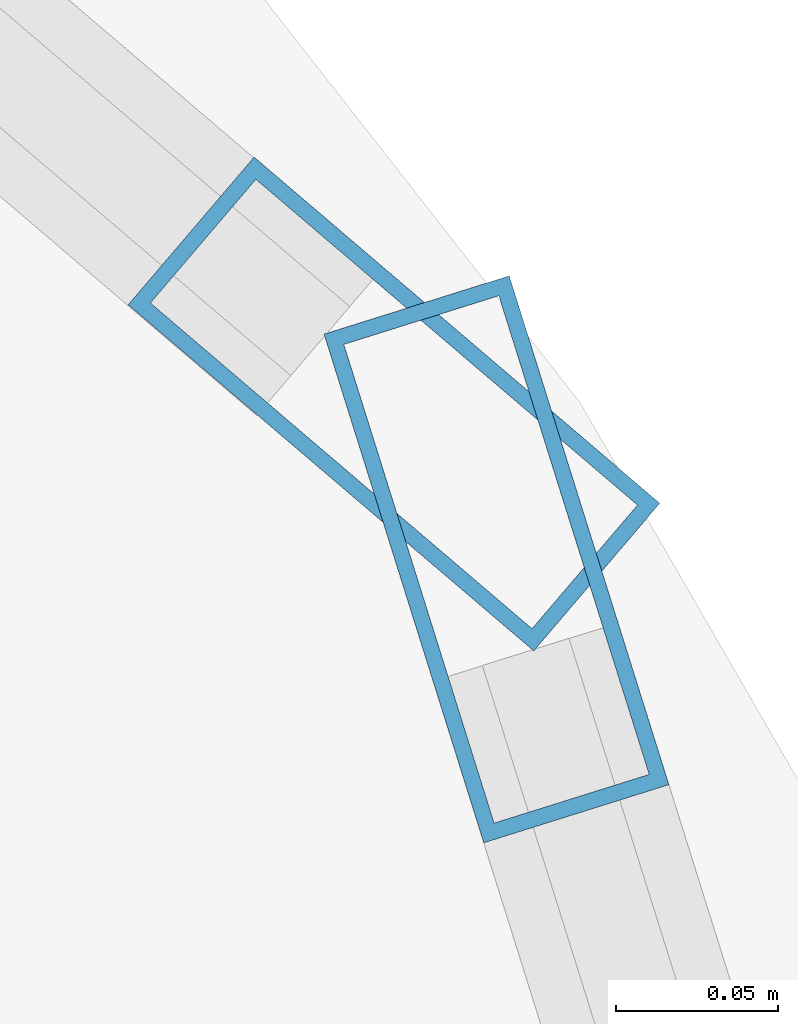
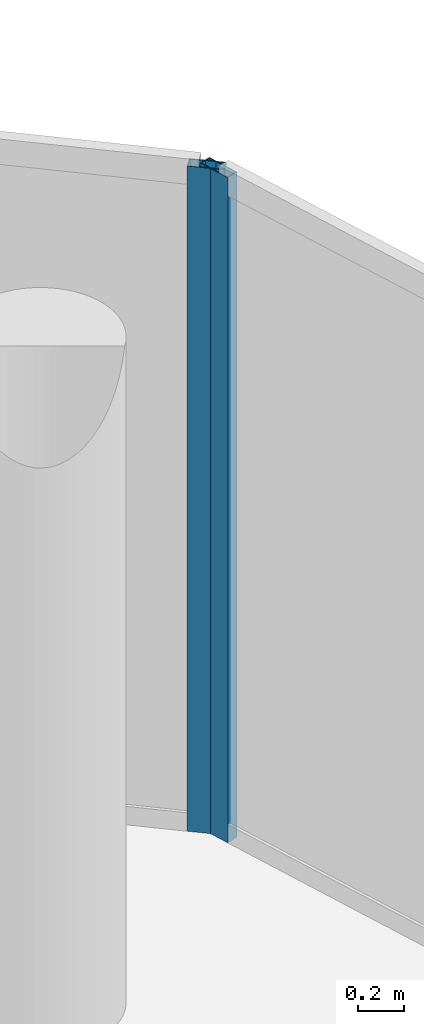
# One storey, part 14 of 24: 2 members, 2 elements without a shape of their own.
"""IFC4 building model written with IfcOpenShell, lengths in metres."""

import ifcopenshell
import ifcopenshell.guid

model = None  # the IFC model being written
_history = None  # IfcOwnerHistory: only IFC2X3 demands one
_inside = {}  # id of a spatial element -> (the spatial element, [elements in it])
_under = {}  # id of a project, library or spatial element -> (it, [spatial elements below it])
_declared = {}  # id of a project -> (the project, [libraries it declares])
_typed = {}  # id of a type object -> (the type object, [elements of that type])
_made_of = {}  # id of a material, layer set ... -> (it, [elements and type objects made of it])


def new_model(schema):
    """Start an empty IFC model of exactly this schema.

    Asked for "IFC4X3", IfcOpenShell would pick the latest addendum, in which some entities
    have other attributes; the version numbers below select the first issue.
    IFC2X3 requires an IfcOwnerHistory on every rooted entity: one is made here for all.
    """
    global model, _history
    if schema == "IFC4X3":
        model = ifcopenshell.file(schema_version=(4, 3, 0, 0))
    else:
        model = ifcopenshell.file(schema=schema)
    _inside.clear()
    _under.clear()
    _declared.clear()
    _typed.clear()
    _made_of.clear()
    _history = None
    if model.schema == "IFC2X3":
        org = make("IfcOrganization", Name="unknown")
        user = make(
            "IfcPersonAndOrganization",
            ThePerson=make("IfcPerson", FamilyName="unknown"),
            TheOrganization=org,
        )
        app = make(
            "IfcApplication",
            ApplicationDeveloper=org,
            Version="unknown",
            ApplicationFullName="unknown",
            ApplicationIdentifier="unknown",
        )
        _history = make(
            "IfcOwnerHistory",
            OwningUser=user,
            OwningApplication=app,
            ChangeAction="ADDED",
            CreationDate=0,
        )
    return model


def make(cls, **values):
    """One entity of the class cls with the attributes given. An attribute that is None is left unset."""
    return model.create_entity(
        cls, **{name: value for name, value in values.items() if value is not None}
    )


def rooted(cls, **values):
    """An entity with a GlobalId (a new one), such as an element, a storey or a relation."""
    return make(cls, GlobalId=ifcopenshell.guid.new(), OwnerHistory=_history, **values)


def si_unit(unit_type, name, prefix=None):
    """IfcSIUnit, for example si_unit("LENGTHUNIT", "METRE", prefix="MILLI")."""
    return make("IfcSIUnit", UnitType=unit_type, Prefix=prefix, Name=name)


def assignment(units):
    """IfcUnitAssignment: the units of a project."""
    return None if units is None else make("IfcUnitAssignment", Units=units)


def point(xyz):
    """IfcCartesianPoint."""
    return None if xyz is None else make("IfcCartesianPoint", Coordinates=xyz)


def direction(xyz):
    """IfcDirection."""
    return None if xyz is None else make("IfcDirection", DirectionRatios=xyz)


def frame(location, z_axis=None, x_axis=None):
    """IfcAxis2Placement3D, a coordinate frame: its origin and axes. An axis left out is left unset."""
    return make(
        "IfcAxis2Placement3D",
        Location=point(location),
        Axis=direction(z_axis),
        RefDirection=direction(x_axis),
    )


def frame_2d(location, x_axis=None):
    """IfcAxis2Placement2D, a coordinate frame in the plane: its origin and x axis."""
    return make(
        "IfcAxis2Placement2D", Location=point(location), RefDirection=direction(x_axis)
    )


def origin():
    """The frame at (0, 0, 0) with its axes left unset."""
    return frame((0.0, 0.0, 0.0))


def origin_2d():
    """The frame at (0, 0) in the plane with its x axis left unset."""
    return frame_2d((0.0, 0.0))


def place(relative_to, where):
    """IfcLocalPlacement: puts the frame where relative to a parent placement (None: the world)."""
    return make(
        "IfcLocalPlacement", PlacementRelTo=relative_to, RelativePlacement=where
    )


def context(
    kind, dimensions, precision=None, world=None, true_north=None, identifier=None
):
    """IfcGeometricRepresentationContext, for example the 3D "Model" context."""
    return make(
        "IfcGeometricRepresentationContext",
        ContextIdentifier=identifier,
        ContextType=kind,
        CoordinateSpaceDimension=dimensions,
        Precision=precision,
        WorldCoordinateSystem=world,
        TrueNorth=true_north,
    )


def subcontext(parent, identifier, kind, view, scale=None):
    """IfcGeometricRepresentationSubContext, for example "Body" below "Model"."""
    return make(
        "IfcGeometricRepresentationSubContext",
        ContextIdentifier=identifier,
        ContextType=kind,
        ParentContext=parent,
        TargetScale=scale,
        TargetView=view,
    )


def project(units=None, contexts=None):
    """IfcProject with its units and contexts."""
    return rooted(
        "IfcProject",
        Name="project",
        RepresentationContexts=contexts,
        UnitsInContext=assignment(units),
    )


def spatial(cls, under=None, at=None, **own):
    """A site, building, storey or space (cls), placed at a placement, below another one or the project."""
    s = rooted(cls, ObjectPlacement=at, **own)
    if under is not None:
        _under.setdefault(under.id(), (under, []))[1].append(s)
    return s


def profile(cls, at=None, kind="AREA", **sizes):
    """A parametric profile (cls). Its sizes go by their IFC names, for example OverallWidth=200.0."""
    return make(cls, ProfileType=kind, Position=at, **sizes)


def hollow_rectangle(**sizes):
    """IfcRectangleHollowProfileDef."""
    return profile("IfcRectangleHollowProfileDef", **sizes)


def extrude(swept, where, along, depth):
    """IfcExtrudedAreaSolid: the profile swept, set in the frame where, extruded along a direction by depth."""
    return make(
        "IfcExtrudedAreaSolid",
        SweptArea=swept,
        Position=where,
        ExtrudedDirection=direction(along),
        Depth=depth,
    )


def shape(context_of_items, identifier, shape_type, items):
    """IfcShapeRepresentation: the items that make up one representation, for example the "Body"."""
    return make(
        "IfcShapeRepresentation",
        ContextOfItems=context_of_items,
        RepresentationIdentifier=identifier,
        RepresentationType=shape_type,
        Items=items,
    )


def material(Name=None, Category=None):
    """IfcMaterial."""
    return make("IfcMaterial", Name=Name, Category=Category)


def layer(
    of_material, thickness, ventilated=None, Name=None, Category=None, Priority=None
):
    """IfcMaterialLayer: one layer of a wall or slab, of a material (None: an air gap)."""
    return make(
        "IfcMaterialLayer",
        Material=of_material,
        LayerThickness=thickness,
        IsVentilated=ventilated,
        Name=Name,
        Category=Category,
        Priority=Priority,
    )


def layer_set(layers, Name=None):
    """IfcMaterialLayerSet."""
    return make("IfcMaterialLayerSet", MaterialLayers=layers, LayerSetName=Name)


def material_profile(
    of_material, cross_section, Name=None, Category=None, Priority=None
):
    """IfcMaterialProfile: a cross section and its material."""
    return make(
        "IfcMaterialProfile",
        Name=Name,
        Material=of_material,
        Profile=cross_section,
        Priority=Priority,
        Category=Category,
    )


def profile_set(profiles, Name=None, composite=None):
    """IfcMaterialProfileSet."""
    return make(
        "IfcMaterialProfileSet",
        Name=Name,
        MaterialProfiles=profiles,
        CompositeProfile=composite,
    )


def made_of(thing, what):
    """Note that an element or type object is made of a material, layer set ...; save() writes the relation."""
    if what is not None:
        _made_of.setdefault(what.id(), (what, []))[1].append(thing)
    return thing


def type_object(cls, material=None, **own):
    """A type object (cls), such as IfcWallType, which elements share."""
    return made_of(rooted(cls, **own), material)


def element(
    cls,
    number,
    at=None,
    inside=None,
    cuts=None,
    type_object=None,
    material=None,
    context=None,
    identifier="Body",
    shape_type=None,
    held_by="IfcProductDefinitionShape",
    body=None,
    shapes=None,
    **own,
):
    """One element of the class cls, such as IfcWall. Its Tag is "e" and its number.

    at: its placement. inside: the storey or other place that contains it. cuts: it is an
    opening in that element (IfcRelVoidsElement). A single representation is given by context,
    identifier, shape_type and body (its items); several are given by shapes. held_by: the class
    of the entity that holds the representations. save() writes the other relations.
    """
    e = rooted(cls, Tag="e%d" % number, ObjectPlacement=at, **own)
    if body is not None:
        shapes = [shape(context, identifier, shape_type, body)]
    if shapes is not None:
        e.Representation = make(held_by, Representations=shapes)
    if inside is not None:
        _inside.setdefault(inside.id(), (inside, []))[1].append(e)
    if cuts is not None:
        rooted(
            "IfcRelVoidsElement", RelatingBuildingElement=cuts, RelatedOpeningElement=e
        )
    if type_object is not None:
        _typed.setdefault(type_object.id(), (type_object, []))[1].append(e)
    return made_of(e, material)


def aggregate(whole, parts):
    """IfcRelAggregates: a whole, such as a stair, and the parts it consists of."""
    return rooted("IfcRelAggregates", RelatingObject=whole, RelatedObjects=parts)


def save(model, path):
    """Write the relations noted so far, then the file.

    IfcRelAggregates (storeys below a building ...), IfcRelContainedInSpatialStructure (elements
    in a storey), IfcRelDefinesByType, IfcRelAssociatesMaterial and IfcRelDeclares: one each for
    every whole, place, type object, material and project.
    """
    for whole, parts in _under.values():
        aggregate(whole, parts)
    for where, things in _inside.values():
        rooted(
            "IfcRelContainedInSpatialStructure",
            RelatedElements=things,
            RelatingStructure=where,
        )
    for kind, things in _typed.values():
        rooted("IfcRelDefinesByType", RelatedObjects=things, RelatingType=kind)
    for what, things in _made_of.values():
        rooted("IfcRelAssociatesMaterial", RelatedObjects=things, RelatingMaterial=what)
    for by, libraries in _declared.values():
        rooted("IfcRelDeclares", RelatingContext=by, RelatedDefinitions=libraries)
    model.write(path)


model = new_model("IFC4")

# Units and contexts
model_context = context("Model", 3, precision=1e-05, world=origin(), true_north=direction((0.0, 1.0)))
body_context = subcontext(model_context, "Body", "Model", "MODEL_VIEW")
ifc_project = project(units=[si_unit("LENGTHUNIT", "METRE"), si_unit("AREAUNIT", "SQUARE_METRE"), si_unit("VOLUMEUNIT", "CUBIC_METRE"), si_unit("PLANEANGLEUNIT", "RADIAN"), si_unit("MASSUNIT", "GRAM", prefix="KILO")], contexts=[model_context])

# Site, building, storey
site_placement = place(None, origin())
site = spatial("IfcSite", under=ifc_project, at=site_placement, CompositionType="ELEMENT")
building_placement = place(site_placement, origin())
building = spatial("IfcBuilding", under=site, at=building_placement, Name="Nuhasar Tower", CompositionType="ELEMENT")
storey_placement = place(building_placement, frame((0.0, 0.0, 278.39990234375)))
storey = spatial("IfcBuildingStorey", under=building, at=storey_placement, Name="L69", CompositionType="ELEMENT", Elevation=278.39990234375)

# Curtain wall, member
ifc_material = material(Name="Aluminium 6063-T6", Category="aluminium")
ifc_layer = layer(ifc_material, 0.18994140625)
ifc_layer_set = layer_set([ifc_layer], Name="Aluminium 6063-T6")
curtain_wall_type = type_object("IfcCurtainWallType", Name="CW-Z4-PEN", PredefinedType="NOTDEFINED", material=ifc_layer_set)
curtain_wall_1_placement = place(storey_placement, origin())
curtain_wall_1 = element("IfcCurtainWall", 1, at=curtain_wall_1_placement, inside=storey, type_object=curtain_wall_type, Name="L69 Unitised Curtain Wall 01", PredefinedType="NOTDEFINED")
ifc_material_profile = material_profile(ifc_material, hollow_rectangle(XDim=0.06005859375, YDim=0.1650390625, WallThickness=0.0048828125, at=origin_2d()), Name="CWM-5")
ifc_profile_set = profile_set([ifc_material_profile], Name="Aluminium 6063-T6")
member_type = type_object("IfcMemberType", Name="CW-MUL-S5", PredefinedType="MULLION", material=ifc_profile_set)
member_1_placement = place(storey_placement, frame((56.72802734375, 35.50146484375, 0.0), z_axis=(0.0, 0.0, 1.0), x_axis=(-0.954078526601, -0.299556614146, 0.0)))
member_1 = element("IfcMember", 2, at=member_1_placement, type_object=member_type, Name="CW-Z4 mullion 2", PredefinedType="MULLION", context=body_context, shape_type="SweptSolid", body=[
    extrude(hollow_rectangle(XDim=0.06005859375, YDim=0.1650390625, WallThickness=0.0048828125, at=origin_2d()), origin(), (0.0, 0.0, 1.0), 3.5400390625),
])
aggregate(curtain_wall_1, [member_1])

curtain_wall_2_placement = place(storey_placement, origin())
curtain_wall_2 = element("IfcCurtainWall", 3, at=curtain_wall_2_placement, inside=storey, type_object=curtain_wall_type, Name="L69 Unitised Curtain Wall 02", PredefinedType="NOTDEFINED")
member_2_placement = place(storey_placement, frame((56.6962890625, 35.549560546875, 0.0), z_axis=(0.0, 0.0, 1.0), x_axis=(-0.649141996205, -0.760667252327, 0.0)))
member_2 = element("IfcMember", 4, at=member_2_placement, type_object=member_type, Name="CW-Z4 mullion 1", PredefinedType="MULLION", context=body_context, shape_type="SweptSolid", body=[
    extrude(hollow_rectangle(XDim=0.06005859375, YDim=0.1650390625, WallThickness=0.0048828125, at=origin_2d()), origin(), (0.0, 0.0, 1.0), 3.5400390625),
])
aggregate(curtain_wall_2, [member_2])

save(model, "model.ifc")
